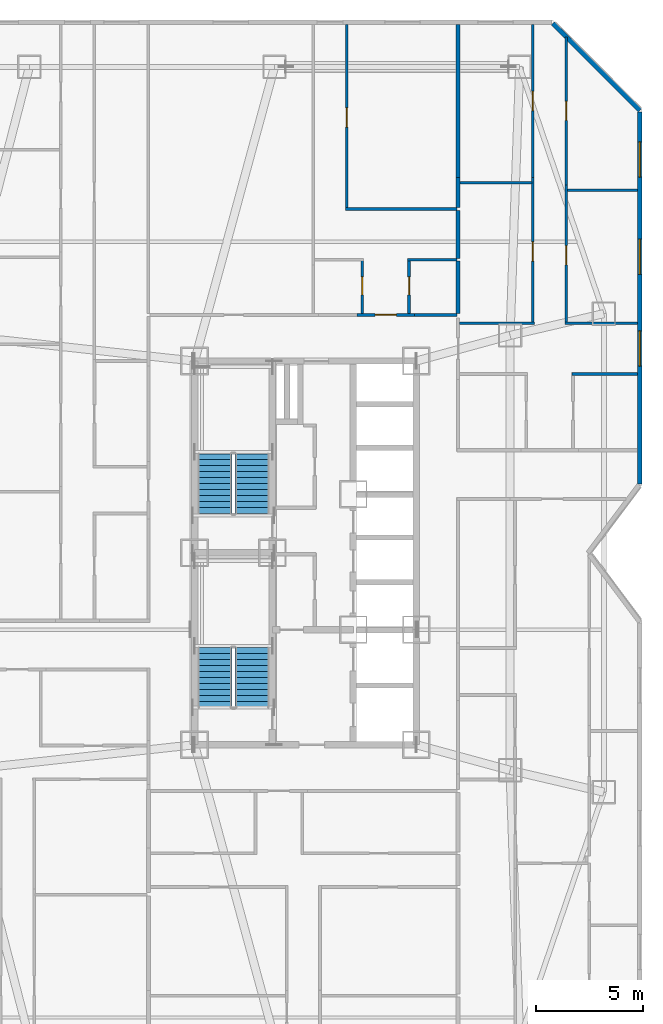
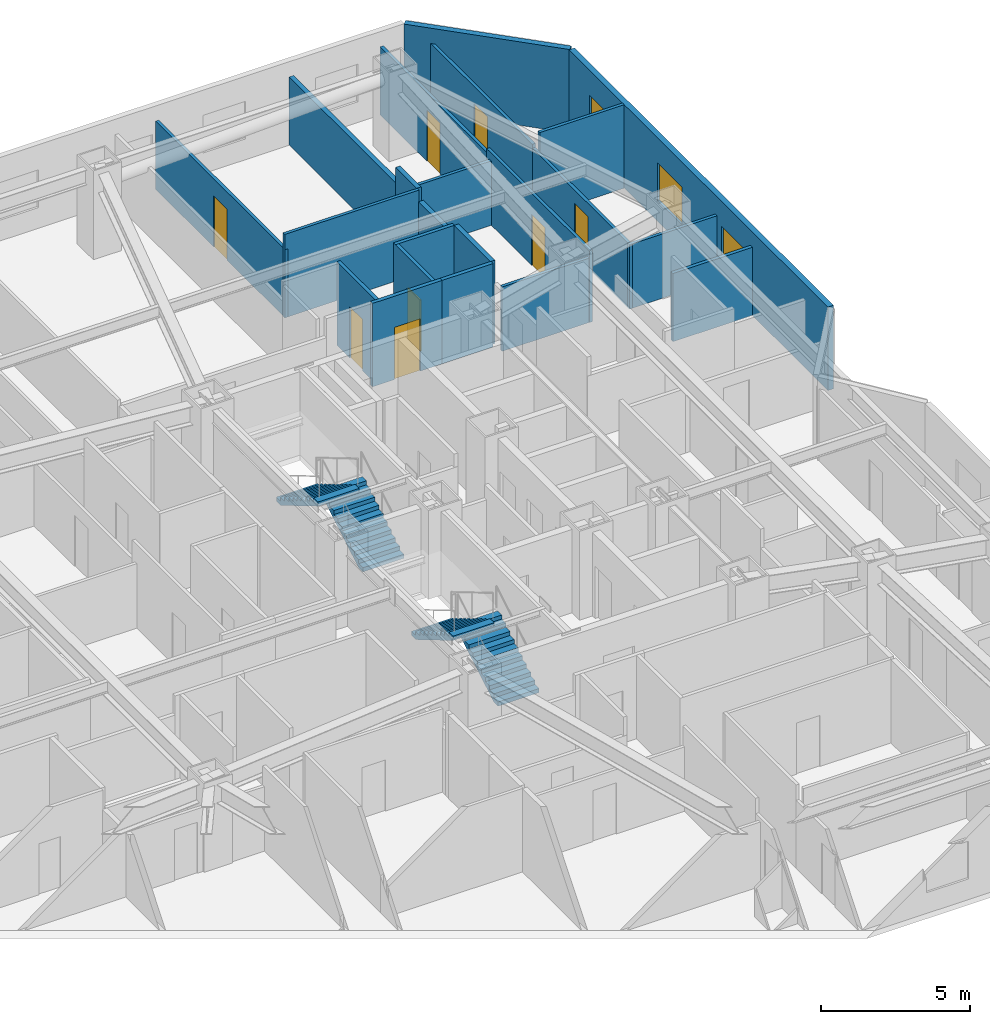
# One storey, part 17 of 19: 22 walls, 8 doors, 4 stair flights, 3 windows, 11 openings, 2 elements without a shape of their own.
"""IFC4 building model written with IfcOpenShell, lengths in metres."""

from ifc_helpers import new_model, si_unit, direction, frame, frame_2d, origin, place, context, subcontext, project, spatial, polyline, rectangle, outline, extrude, material, layer, layer_set, type_object, element, fill, aggregate, save


model = new_model("IFC4")

# Units and contexts
model_context = context("Model", 3, precision=1e-05, world=origin(), true_north=direction((0.0, 1.0)))
body_context = subcontext(model_context, "Body", "Model", "MODEL_VIEW")
ifc_project = project(units=[si_unit("LENGTHUNIT", "METRE"), si_unit("AREAUNIT", "SQUARE_METRE"), si_unit("VOLUMEUNIT", "CUBIC_METRE"), si_unit("PLANEANGLEUNIT", "RADIAN"), si_unit("MASSUNIT", "GRAM", prefix="KILO")], contexts=[model_context])

# Site, building, storey
site_placement = place(None, origin())
site = spatial("IfcSite", under=ifc_project, at=site_placement, CompositionType="ELEMENT")
building_placement = place(site_placement, origin())
building = spatial("IfcBuilding", under=site, at=building_placement, Name="Khamvora Tower", CompositionType="ELEMENT")
storey_placement = place(building_placement, frame((0.0, 0.0, 58.85009765625)))
storey = spatial("IfcBuildingStorey", under=building, at=storey_placement, Name="L14", CompositionType="ELEMENT", Elevation=58.85009765625)

# Wall, opening, door
ifc_material_1 = material(Name="Fire-Rated Drywall and Steel Stud", Category="steel")
ifc_layer_1 = layer(ifc_material_1, 0.14990234375)
ifc_layer_set_1 = layer_set([ifc_layer_1], Name="Fire-Rated Drywall and Steel Stud")
wall_type_1 = type_object("IfcWallType", Name="WAL-CORR-150", PredefinedType="STANDARD", material=ifc_layer_set_1)
wall_1_placement = place(storey_placement, frame((36.615966796875, 39.1650390625, 0.0), z_axis=(0.0, 0.0, 1.0), x_axis=(1.0, 0.0, 0.0)))
wall_1 = element("IfcWall", 1, at=wall_1_placement, inside=storey, type_object=wall_type_1, Name="L14 interior partition wall 029", PredefinedType="STANDARD", context=body_context, shape_type="SweptSolid", body=[
    extrude(rectangle(XDim=2.697998046875, YDim=0.14990234375, at=frame_2d((1.34912109375, 0.0))), origin(), (0.0, 0.0, 1.0), 3.429931640625),
])
opening_1_placement = place(wall_1_placement, frame((0.84912109375, 0.0, 0.0)))
opening_1 = element("IfcOpeningElement", 2, at=opening_1_placement, cuts=wall_1, Name="Opening D-U1", PredefinedType="OPENING", context=body_context, shape_type="SweptSolid", body=[
    extrude(rectangle(XDim=1.0, YDim=2.14990234375, at=frame_2d((0.5, 1.074951171875))), frame((0.0, 0.0849609375, 0.0), z_axis=(0.0, -1.0, 0.0), x_axis=(1.0, 0.0, 0.0)), (0.0, 0.0, 1.0), 0.169921875),
])
ifc_material_2 = material(Name="Powder-Coated Steel and Hardwood Leaf", Category="steel")
door_type_1 = type_object("IfcDoorType", Name="DOR-UNIT-1000", OperationType="NOTDEFINED", PredefinedType="DOOR", material=ifc_material_2)
door_1_placement = place(opening_1_placement, origin())
door_1 = element("IfcDoor", 3, at=door_1_placement, inside=storey, type_object=door_type_1, Name="L14 interior door COR-14NAH", OperationType="SINGLE_SWING_RIGHT", OverallHeight=2.14990234375, OverallWidth=1.0, PredefinedType="DOOR", context=body_context, shape_type="SweptSolid", body=[
    extrude(rectangle(XDim=1.0, YDim=2.14990234375, at=frame_2d((0.5, 1.074951171875))), frame((0.0, 0.02490234375, 0.0), z_axis=(0.0, -1.0, 0.0), x_axis=(1.0, 0.0, 0.0)), (0.0, 0.0, 1.0), 0.050048828125),
])
fill(opening_1, door_1)

# Walls
wall_2_placement = place(storey_placement, frame((39.31396484375, 39.1650390625, 0.0), z_axis=(0.0, 0.0, 1.0), x_axis=(1.0, 0.0, 0.0)))
element("IfcWall", 4, at=wall_2_placement, inside=storey, type_object=wall_type_1, Name="L14 interior partition wall 030", PredefinedType="STANDARD", context=body_context, shape_type="SweptSolid", body=[
    extrude(rectangle(XDim=1.986083984375, YDim=0.14990234375, at=frame_2d((0.9931640625, 0.0))), origin(), (0.0, 0.0, 1.0), 3.429931640625),
])
ifc_material_3 = material(Name="Acoustic Double-Stud Fire Wall", Category="gypsum")
ifc_layer_2 = layer(ifc_material_3, 0.179931640625)
ifc_layer_set_2 = layer_set([ifc_layer_2], Name="Acoustic Double-Stud Fire Wall")
wall_type_2 = type_object("IfcWallType", Name="WAL-CORR-180", PredefinedType="STANDARD", material=ifc_layer_set_2)
wall_3_placement = place(storey_placement, frame((41.364990234375, 44.069091796875, 0.0), z_axis=(0.0, 0.0, 1.0), x_axis=(0.0, -1.0, 0.0)))
element("IfcWall", 5, at=wall_3_placement, inside=storey, type_object=wall_type_2, Name="L14 interior partition wall 146", PredefinedType="STANDARD", context=body_context, shape_type="SweptSolid", body=[
    extrude(rectangle(XDim=2.25, YDim=0.179931640625, at=frame_2d((1.125, 0.0))), origin(), (0.0, 0.0, 1.0), 2.9609375),
])
wall_4_placement = place(storey_placement, frame((41.364990234375, 41.68896484375, 0.0), z_axis=(0.0, 0.0, 1.0), x_axis=(0.0, -1.0, 0.0)))
element("IfcWall", 6, at=wall_4_placement, inside=storey, type_object=wall_type_2, Name="L14 interior partition wall 147", PredefinedType="STANDARD", context=body_context, shape_type="SweptSolid", body=[
    extrude(rectangle(XDim=2.458984375, YDim=0.179931640625, at=frame_2d((1.2294921875, 0.0))), origin(), (0.0, 0.0, 1.0), 3.429931640625),
])
wall_5_placement = place(storey_placement, frame((41.364990234375, 45.615966796875, 0.0), z_axis=(0.0, 0.0, 1.0), x_axis=(0.0, -1.0, 0.0)))
element("IfcWall", 7, at=wall_5_placement, inside=storey, type_object=wall_type_2, Name="L14 interior partition wall 148", PredefinedType="STANDARD", context=body_context, shape_type="SweptSolid", body=[
    extrude(rectangle(XDim=1.4169921875, YDim=0.179931640625, at=frame_2d((0.70849609375, 0.0))), origin(), (0.0, 0.0, 1.0), 3.429931640625),
])
wall_6_placement = place(storey_placement, frame((41.364990234375, 52.7880859375, 0.0), z_axis=(0.0, 0.0, 1.0), x_axis=(0.0, -1.0, 0.0)))
element("IfcWall", 8, at=wall_6_placement, inside=storey, type_object=wall_type_2, Name="L14 interior partition wall 149", PredefinedType="STANDARD", context=body_context, shape_type="SweptSolid", body=[
    extrude(rectangle(XDim=7.172119140625, YDim=0.179931640625, at=frame_2d((3.5859375, 0.0))), origin(), (0.0, 0.0, 1.0), 2.802978515625),
])
ifc_material_4 = material(Name="Precast concrete C40/50", Category="concrete")
ifc_layer_3 = layer(ifc_material_4, 0.219970703125)
ifc_layer_set_3 = layer_set([ifc_layer_3], Name="Precast concrete C40/50")
wall_type_3 = type_object("IfcWallType", Name="WAL-EXT-220", PredefinedType="STANDARD", material=ifc_layer_set_3)
wall_7_placement = place(storey_placement, frame((45.802001953125, 52.842041015625, 0.0), z_axis=(0.0, 0.0, 1.0), x_axis=(0.707085666273, -0.70712789547, 0.0)))
element("IfcWall", 9, at=wall_7_placement, inside=storey, type_object=wall_type_3, Name="L14 exterior facade wall 08.1", PredefinedType="STANDARD", context=body_context, shape_type="SweptSolid", body=[
    extrude(rectangle(XDim=5.78125, YDim=0.219970703125, at=frame_2d((2.890625, 0.0))), origin(), (0.0, 0.0, 1.0), 3.429931640625),
])

# Wall, openings, windows
wall_8_placement = place(storey_placement, frame((49.889892578125, 48.68310546875, 0.0), z_axis=(0.0, 0.0, 1.0), x_axis=(0.0, -1.0, 0.0)))
wall_8 = element("IfcWall", 10, at=wall_8_placement, inside=storey, type_object=wall_type_3, Name="L14 exterior facade wall 09.1", PredefinedType="STANDARD", context=body_context, shape_type="SweptSolid", body=[
    extrude(rectangle(XDim=17.446044921875, YDim=0.219970703125, at=frame_2d((8.72314453125, 0.0))), origin(), (0.0, 0.0, 1.0), 3.429931640625),
])
opening_2_placement = place(wall_8_placement, frame((10.27294921875, 0.0, 0.85009765625)))
opening_2 = element("IfcOpeningElement", 11, at=opening_2_placement, cuts=wall_8, Name="Opening WN-06", PredefinedType="OPENING", context=body_context, shape_type="SweptSolid", body=[
    extrude(rectangle(XDim=1.64990234375, YDim=1.550048828125, at=frame_2d((0.824951171875, 0.77490234375))), frame((0.0, 0.119873046875, 0.0), z_axis=(0.0, -1.0, 0.0), x_axis=(1.0, 0.0, 0.0)), (0.0, 0.0, 1.0), 0.239990234375),
])
opening_3_placement = place(wall_8_placement, frame((5.962890625, 0.0, 0.85009765625)))
opening_3 = element("IfcOpeningElement", 12, at=opening_3_placement, cuts=wall_8, Name="Opening WN-06", PredefinedType="OPENING", context=body_context, shape_type="SweptSolid", body=[
    extrude(rectangle(XDim=1.64990234375, YDim=1.550048828125, at=frame_2d((0.824951171875, 0.77490234375))), frame((0.0, 0.119873046875, 0.0), z_axis=(0.0, -1.0, 0.0), x_axis=(1.0, 0.0, 0.0)), (0.0, 0.0, 1.0), 0.239990234375),
])
opening_4_placement = place(wall_8_placement, frame((1.40087890625, 0.0, 0.85009765625)))
opening_4 = element("IfcOpeningElement", 13, at=opening_4_placement, cuts=wall_8, Name="Opening WN-06", PredefinedType="OPENING", context=body_context, shape_type="SweptSolid", body=[
    extrude(rectangle(XDim=1.64990234375, YDim=1.550048828125, at=frame_2d((0.824951171875, 0.77490234375))), frame((0.0, 0.119873046875, 0.0), z_axis=(0.0, -1.0, 0.0), x_axis=(1.0, 0.0, 0.0)), (0.0, 0.0, 1.0), 0.239990234375),
])
ifc_material_5 = material(Name="Low-E Laminated Double Glazing", Category="glass")
window_type = type_object("IfcWindowType", Name="WIN-VIS-1650x1550", PartitioningType="SINGLE_PANEL", PredefinedType="WINDOW", material=ifc_material_5)
window_1_placement = place(opening_2_placement, origin())
window_1 = element("IfcWindow", 14, at=window_1_placement, inside=storey, type_object=window_type, Name="L14 vision window 09.1.01", OverallHeight=1.550048828125, OverallWidth=1.64990234375, PartitioningType="SINGLE_PANEL", PredefinedType="WINDOW", context=body_context, shape_type="SweptSolid", body=[
    extrude(rectangle(XDim=1.64990234375, YDim=1.550048828125, at=frame_2d((0.824951171875, 0.77490234375))), frame((0.0, 0.030029296875, 0.0), z_axis=(0.0, -1.0, 0.0), x_axis=(1.0, 0.0, 0.0)), (0.0, 0.0, 1.0), 0.06005859375),
])
fill(opening_2, window_1)
window_2_placement = place(opening_3_placement, origin())
window_2 = element("IfcWindow", 15, at=window_2_placement, inside=storey, type_object=window_type, Name="L14 vision window 09.1.02", OverallHeight=1.550048828125, OverallWidth=1.64990234375, PartitioningType="SINGLE_PANEL", PredefinedType="WINDOW", context=body_context, shape_type="SweptSolid", body=[
    extrude(rectangle(XDim=1.64990234375, YDim=1.550048828125, at=frame_2d((0.824951171875, 0.77490234375))), frame((0.0, 0.030029296875, 0.0), z_axis=(0.0, -1.0, 0.0), x_axis=(1.0, 0.0, 0.0)), (0.0, 0.0, 1.0), 0.06005859375),
])
fill(opening_3, window_2)
window_3_placement = place(opening_4_placement, origin())
window_3 = element("IfcWindow", 16, at=window_3_placement, inside=storey, type_object=window_type, Name="L14 vision window 09.1.03", OverallHeight=1.550048828125, OverallWidth=1.64990234375, PartitioningType="SINGLE_PANEL", PredefinedType="WINDOW", context=body_context, shape_type="SweptSolid", body=[
    extrude(rectangle(XDim=1.64990234375, YDim=1.550048828125, at=frame_2d((0.824951171875, 0.77490234375))), frame((0.0, 0.030029296875, 0.0), z_axis=(0.0, -1.0, 0.0), x_axis=(1.0, 0.0, 0.0)), (0.0, 0.0, 1.0), 0.06005859375),
])
fill(opening_4, window_3)

# Wall, opening, door
ifc_material_6 = material(Name="Gypsum Plasterboard Partition", Category="gypsum")
ifc_layer_4 = layer(ifc_material_6, 0.1201171875)
ifc_layer_set_4 = layer_set([ifc_layer_4], Name="Gypsum Plasterboard Partition")
wall_type_4 = type_object("IfcWallType", Name="WAL-PART-120", PredefinedType="PARTITIONING", material=ifc_layer_set_4)
wall_9_placement = place(storey_placement, frame((36.14501953125, 52.7880859375, 0.0), z_axis=(0.0, 0.0, 1.0), x_axis=(0.0, -1.0, 0.0)))
wall_9 = element("IfcWall", 17, at=wall_9_placement, inside=storey, type_object=wall_type_4, Name="L14 interior partition wall 144", PredefinedType="PARTITIONING", context=body_context, shape_type="SweptSolid", body=[
    extrude(rectangle(XDim=8.718994140625, YDim=0.1201171875, at=frame_2d((4.359375, 0.0))), origin(), (0.0, 0.0, 1.0), 2.802978515625),
])
opening_5_placement = place(wall_9_placement, frame((3.908935546875, 0.0, 0.0)))
opening_5 = element("IfcOpeningElement", 18, at=opening_5_placement, cuts=wall_9, Name="Opening D-RM1", PredefinedType="OPENING", context=body_context, shape_type="SweptSolid", body=[
    extrude(rectangle(XDim=0.89990234375, YDim=2.10009765625, at=frame_2d((0.449951171875, 1.050048828125))), frame((0.0, 0.070068359375, 0.0), z_axis=(0.0, -1.0, 0.0), x_axis=(1.0, 0.0, 0.0)), (0.0, 0.0, 1.0), 0.14013671875),
])
door_type_2 = type_object("IfcDoorType", Name="DOR-ROOM-900", OperationType="NOTDEFINED", PredefinedType="DOOR", material=ifc_material_2)
door_2_placement = place(opening_5_placement, origin())
door_2 = element("IfcDoor", 19, at=door_2_placement, inside=storey, type_object=door_type_2, Name="L14 interior door 14NAH-14NAR1", OperationType="SINGLE_SWING_LEFT", OverallHeight=2.10009765625, OverallWidth=0.89990234375, PredefinedType="DOOR", context=body_context, shape_type="SweptSolid", body=[
    extrude(rectangle(XDim=0.89990234375, YDim=2.10009765625, at=frame_2d((0.449951171875, 1.050048828125))), frame((0.0, 0.02490234375, 0.0), z_axis=(0.0, -1.0, 0.0), x_axis=(1.0, 0.0, 0.0)), (0.0, 0.0, 1.0), 0.050048828125),
])
fill(opening_5, door_2)

# Walls
wall_10_placement = place(storey_placement, frame((36.080078125, 44.134033203125, 0.0), z_axis=(0.0, 0.0, 1.0), x_axis=(1.0, 0.0, 0.0)))
element("IfcWall", 20, at=wall_10_placement, inside=storey, type_object=wall_type_4, Name="L14 interior partition wall 145", PredefinedType="PARTITIONING", context=body_context, shape_type="SweptSolid", body=[
    extrude(rectangle(XDim=5.219970703125, YDim=0.1201171875, at=frame_2d((2.60986328125, 0.0))), origin(), (0.0, 0.0, 1.0), 3.429931640625),
])
wall_11_placement = place(storey_placement, frame((41.431884765625, 38.77490234375, 0.0), z_axis=(0.0, 0.0, 1.0), x_axis=(1.0, 0.0, 0.0)))
element("IfcWall", 21, at=wall_11_placement, inside=storey, type_object=wall_type_4, Name="L14 interior partition wall 169", PredefinedType="PARTITIONING", context=body_context, shape_type="SweptSolid", body=[
    extrude(rectangle(XDim=3.508056640625, YDim=0.1201171875, at=frame_2d((1.75390625, 0.0))), origin(), (0.0, 0.0, 1.0), 2.64697265625),
])

# Wall, opening, door
wall_12_placement = place(storey_placement, frame((44.875, 38.7099609375, 0.0), z_axis=(0.0, 0.0, 1.0), x_axis=(0.0, 1.0, 0.0)))
wall_12 = element("IfcWall", 22, at=wall_12_placement, inside=storey, type_object=wall_type_4, Name="L14 interior partition wall 170", PredefinedType="PARTITIONING", context=body_context, shape_type="SweptSolid", body=[
    extrude(rectangle(XDim=6.906005859375, YDim=0.1201171875, at=frame_2d((3.453125, 0.0))), origin(), (0.0, 0.0, 1.0), 2.9609375),
])
opening_6_placement = place(wall_12_placement, frame((2.98193359375, 0.0, 0.0)))
opening_6 = element("IfcOpeningElement", 23, at=opening_6_placement, cuts=wall_12, Name="Opening D-RM1", PredefinedType="OPENING", context=body_context, shape_type="SweptSolid", body=[
    extrude(rectangle(XDim=0.89990234375, YDim=2.10009765625, at=frame_2d((0.449951171875, 1.050048828125))), frame((0.0, 0.070068359375, 0.0), z_axis=(0.0, -1.0, 0.0), x_axis=(1.0, 0.0, 0.0)), (0.0, 0.0, 1.0), 0.14013671875),
])
door_3_placement = place(opening_6_placement, origin())
door_3 = element("IfcDoor", 24, at=door_3_placement, inside=storey, type_object=door_type_2, Name="L14 interior door 14ECH-14ECL", OperationType="SINGLE_SWING_RIGHT", OverallHeight=2.10009765625, OverallWidth=0.89990234375, PredefinedType="DOOR", context=body_context, shape_type="SweptSolid", body=[
    extrude(rectangle(XDim=0.89990234375, YDim=2.10009765625, at=frame_2d((0.449951171875, 1.050048828125))), frame((0.0, 0.02490234375, 0.0), z_axis=(0.0, -1.0, 0.0), x_axis=(1.0, 0.0, 0.0)), (0.0, 0.0, 1.0), 0.050048828125),
])
fill(opening_6, door_3)

wall_13_placement = place(storey_placement, frame((44.875, 45.615966796875, 0.0), z_axis=(0.0, 0.0, 1.0), x_axis=(0.0, 1.0, 0.0)))
wall_13 = element("IfcWall", 25, at=wall_13_placement, inside=storey, type_object=wall_type_4, Name="L14 interior partition wall 171", PredefinedType="PARTITIONING", context=body_context, shape_type="SweptSolid", body=[
    extrude(rectangle(XDim=7.172119140625, YDim=0.1201171875, at=frame_2d((3.5859375, 0.0))), origin(), (0.0, 0.0, 1.0), 2.802978515625),
])
opening_7_placement = place(wall_13_placement, frame((3.135986328125, 0.0, 0.0)))
opening_7 = element("IfcOpeningElement", 26, at=opening_7_placement, cuts=wall_13, Name="Opening D-RM1", PredefinedType="OPENING", context=body_context, shape_type="SweptSolid", body=[
    extrude(rectangle(XDim=0.89990234375, YDim=2.10009765625, at=frame_2d((0.449951171875, 1.050048828125))), frame((0.0, 0.070068359375, 0.0), z_axis=(0.0, -1.0, 0.0), x_axis=(1.0, 0.0, 0.0)), (0.0, 0.0, 1.0), 0.14013671875),
])
door_4_placement = place(opening_7_placement, origin())
door_4 = element("IfcDoor", 27, at=door_4_placement, inside=storey, type_object=door_type_2, Name="L14 interior door 14ECH-14ECR2", OperationType="SINGLE_SWING_LEFT", OverallHeight=2.10009765625, OverallWidth=0.89990234375, PredefinedType="DOOR", context=body_context, shape_type="SweptSolid", body=[
    extrude(rectangle(XDim=0.89990234375, YDim=2.10009765625, at=frame_2d((0.449951171875, 1.050048828125))), frame((0.0, 0.02490234375, 0.0), z_axis=(0.0, -1.0, 0.0), x_axis=(1.0, 0.0, 0.0)), (0.0, 0.0, 1.0), 0.050048828125),
])
fill(opening_7, door_4)

# Wall
wall_14_placement = place(storey_placement, frame((46.3798828125, 38.77490234375, 0.0), z_axis=(0.0, 0.0, 1.0), x_axis=(1.0, 0.0, 0.0)))
element("IfcWall", 28, at=wall_14_placement, inside=storey, type_object=wall_type_4, Name="L14 interior partition wall 172", PredefinedType="PARTITIONING", context=body_context, shape_type="SweptSolid", body=[
    extrude(rectangle(XDim=3.408203125, YDim=0.1201171875, at=frame_2d((1.7041015625, 0.0))), origin(), (0.0, 0.0, 1.0), 2.64697265625),
])

# Wall, opening, door
wall_15_placement = place(storey_placement, frame((46.445068359375, 45.264892578125, 0.0), z_axis=(0.0, 0.0, 1.0), x_axis=(0.0, -1.0, 0.0)))
wall_15 = element("IfcWall", 29, at=wall_15_placement, inside=storey, type_object=wall_type_4, Name="L14 interior partition wall 173", PredefinedType="PARTITIONING", context=body_context, shape_type="SweptSolid", body=[
    extrude(rectangle(XDim=6.554931640625, YDim=0.1201171875, at=frame_2d((3.27734375, 0.0))), origin(), (0.0, 0.0, 1.0), 2.64697265625),
])
opening_8_placement = place(wall_15_placement, frame((2.847900390625, 0.0, 0.0)))
opening_8 = element("IfcOpeningElement", 30, at=opening_8_placement, cuts=wall_15, Name="Opening D-RM1", PredefinedType="OPENING", context=body_context, shape_type="SweptSolid", body=[
    extrude(rectangle(XDim=0.89990234375, YDim=2.10009765625, at=frame_2d((0.449951171875, 1.050048828125))), frame((0.0, 0.070068359375, 0.0), z_axis=(0.0, -1.0, 0.0), x_axis=(1.0, 0.0, 0.0)), (0.0, 0.0, 1.0), 0.14013671875),
])
door_5_placement = place(opening_8_placement, origin())
door_5 = element("IfcDoor", 31, at=door_5_placement, inside=storey, type_object=door_type_2, Name="L14 interior door 14ECH-14ECR3", OperationType="SINGLE_SWING_RIGHT", OverallHeight=2.10009765625, OverallWidth=0.89990234375, PredefinedType="DOOR", context=body_context, shape_type="SweptSolid", body=[
    extrude(rectangle(XDim=0.89990234375, YDim=2.10009765625, at=frame_2d((0.449951171875, 1.050048828125))), frame((0.0, 0.02490234375, 0.0), z_axis=(0.0, -1.0, 0.0), x_axis=(1.0, 0.0, 0.0)), (0.0, 0.0, 1.0), 0.050048828125),
])
fill(opening_8, door_5)

wall_16_placement = place(storey_placement, frame((46.445068359375, 52.2080078125, 0.0), z_axis=(0.0, 0.0, 1.0), x_axis=(0.0, -1.0, 0.0)))
wall_16 = element("IfcWall", 32, at=wall_16_placement, inside=storey, type_object=wall_type_4, Name="L14 interior partition wall 174", PredefinedType="PARTITIONING", context=body_context, shape_type="SweptSolid", body=[
    extrude(rectangle(XDim=6.943115234375, YDim=0.1201171875, at=frame_2d((3.4716796875, 0.0))), origin(), (0.0, 0.0, 1.0), 2.802978515625),
])
opening_9_placement = place(wall_16_placement, frame((3.02099609375, 0.0, 0.0)))
opening_9 = element("IfcOpeningElement", 33, at=opening_9_placement, cuts=wall_16, Name="Opening D-RM1", PredefinedType="OPENING", context=body_context, shape_type="SweptSolid", body=[
    extrude(rectangle(XDim=0.89990234375, YDim=2.10009765625, at=frame_2d((0.449951171875, 1.050048828125))), frame((0.0, 0.070068359375, 0.0), z_axis=(0.0, -1.0, 0.0), x_axis=(1.0, 0.0, 0.0)), (0.0, 0.0, 1.0), 0.14013671875),
])
door_6_placement = place(opening_9_placement, origin())
door_6 = element("IfcDoor", 34, at=door_6_placement, inside=storey, type_object=door_type_2, Name="L14 interior door 14ECH-14ECR4", OperationType="SINGLE_SWING_LEFT", OverallHeight=2.10009765625, OverallWidth=0.89990234375, PredefinedType="DOOR", context=body_context, shape_type="SweptSolid", body=[
    extrude(rectangle(XDim=0.89990234375, YDim=2.10009765625, at=frame_2d((0.449951171875, 1.050048828125))), frame((0.0, 0.02490234375, 0.0), z_axis=(0.0, -1.0, 0.0), x_axis=(1.0, 0.0, 0.0)), (0.0, 0.0, 1.0), 0.050048828125),
])
fill(opening_9, door_6)

# Walls
wall_17_placement = place(storey_placement, frame((41.447021484375, 45.365966796875, 0.0), z_axis=(0.0, 0.0, 1.0), x_axis=(1.0, 0.0, 0.0)))
element("IfcWall", 35, at=wall_17_placement, inside=storey, type_object=wall_type_4, Name="L14 interior partition wall 175", PredefinedType="PARTITIONING", context=body_context, shape_type="SweptSolid", body=[
    extrude(rectangle(XDim=3.3740234375, YDim=0.1201171875, at=frame_2d((1.68701171875, 0.0))), origin(), (0.0, 0.0, 1.0), 2.64697265625),
])
wall_18_placement = place(storey_placement, frame((46.4990234375, 45.014892578125, 0.0), z_axis=(0.0, 0.0, 1.0), x_axis=(1.0, 0.0, 0.0)))
element("IfcWall", 36, at=wall_18_placement, inside=storey, type_object=wall_type_4, Name="L14 interior partition wall 176", PredefinedType="PARTITIONING", context=body_context, shape_type="SweptSolid", body=[
    extrude(rectangle(XDim=3.2890625, YDim=0.1201171875, at=frame_2d((1.64453125, 0.0))), origin(), (0.0, 0.0, 1.0), 3.429931640625),
])
ifc_material_7 = material(Name="Moisture-Resistant Plasterboard Partition", Category="gypsum")
ifc_layer_5 = layer(ifc_material_7, 0.135009765625)
ifc_layer_set_5 = layer_set([ifc_layer_5], Name="Moisture-Resistant Plasterboard Partition")
wall_type_5 = type_object("IfcWallType", Name="WAL-WET-135", PredefinedType="PARTITIONING", material=ifc_layer_set_5)
wall_19_placement = place(storey_placement, frame((41.300048828125, 41.75390625, 0.0), z_axis=(0.0, 0.0, 1.0), x_axis=(-1.0, 0.0, 0.0)))
element("IfcWall", 37, at=wall_19_placement, inside=storey, type_object=wall_type_5, Name="L14 interior partition wall 140", PredefinedType="PARTITIONING", context=body_context, shape_type="SweptSolid", body=[
    extrude(rectangle(XDim=2.300048828125, YDim=0.135009765625, at=frame_2d((1.14990234375, 0.0))), origin(), (0.0, 0.0, 1.0), 3.429931640625),
])

# Wall, opening, door
wall_20_placement = place(storey_placement, frame((39.06494140625, 41.819091796875, 0.0), z_axis=(0.0, 0.0, 1.0), x_axis=(0.0, -1.0, 0.0)))
wall_20 = element("IfcWall", 38, at=wall_20_placement, inside=storey, type_object=wall_type_5, Name="L14 interior partition wall 141", PredefinedType="PARTITIONING", context=body_context, shape_type="SweptSolid", body=[
    extrude(rectangle(XDim=2.587158203125, YDim=0.135009765625, at=frame_2d((1.29345703125, 0.0))), origin(), (0.0, 0.0, 1.0), 3.429931640625),
])
opening_10_placement = place(wall_20_placement, frame((0.868896484375, 0.0, 0.0)))
opening_10 = element("IfcOpeningElement", 39, at=opening_10_placement, cuts=wall_20, Name="Opening D-WC1", PredefinedType="OPENING", context=body_context, shape_type="SweptSolid", body=[
    extrude(rectangle(XDim=0.85009765625, YDim=2.10009765625, at=frame_2d((0.425048828125, 1.050048828125))), frame((0.0, 0.077392578125, 0.0), z_axis=(0.0, -1.0, 0.0), x_axis=(1.0, 0.0, 0.0)), (0.0, 0.0, 1.0), 0.155029296875),
])
door_type_3 = type_object("IfcDoorType", Name="DOR-WET-850", OperationType="NOTDEFINED", PredefinedType="DOOR", material=ifc_material_2)
door_7_placement = place(opening_10_placement, origin())
door_7 = element("IfcDoor", 40, at=door_7_placement, inside=storey, type_object=door_type_3, Name="L14 interior door 14NAH-14NAB", OperationType="SINGLE_SWING_LEFT", OverallHeight=2.10009765625, OverallWidth=0.85009765625, PredefinedType="DOOR", context=body_context, shape_type="SweptSolid", body=[
    extrude(rectangle(XDim=0.85009765625, YDim=2.10009765625, at=frame_2d((0.425048828125, 1.050048828125))), frame((0.0, 0.02490234375, 0.0), z_axis=(0.0, -1.0, 0.0), x_axis=(1.0, 0.0, 0.0)), (0.0, 0.0, 1.0), 0.050048828125),
])
fill(opening_10, door_7)

wall_21_placement = place(storey_placement, frame((36.864990234375, 39.23193359375, 0.0), z_axis=(0.0, 0.0, 1.0), x_axis=(0.0, 1.0, 0.0)))
wall_21 = element("IfcWall", 41, at=wall_21_placement, inside=storey, type_object=wall_type_5, Name="L14 interior partition wall 142", PredefinedType="PARTITIONING", context=body_context, shape_type="SweptSolid", body=[
    extrude(rectangle(XDim=2.587158203125, YDim=0.135009765625, at=frame_2d((1.29345703125, 0.0))), origin(), (0.0, 0.0, 1.0), 3.429931640625),
])
opening_11_placement = place(wall_21_placement, frame((0.868896484375, 0.0, 0.0)))
opening_11 = element("IfcOpeningElement", 42, at=opening_11_placement, cuts=wall_21, Name="Opening D-RM2", PredefinedType="OPENING", context=body_context, shape_type="SweptSolid", body=[
    extrude(rectangle(XDim=0.85009765625, YDim=2.10009765625, at=frame_2d((0.425048828125, 1.050048828125))), frame((0.0, 0.077392578125, 0.0), z_axis=(0.0, -1.0, 0.0), x_axis=(1.0, 0.0, 0.0)), (0.0, 0.0, 1.0), 0.155029296875),
])
door_type_4 = type_object("IfcDoorType", Name="DOR-ROOM-850", OperationType="NOTDEFINED", PredefinedType="DOOR", material=ifc_material_2)
door_8_placement = place(opening_11_placement, origin())
door_8 = element("IfcDoor", 43, at=door_8_placement, inside=storey, type_object=door_type_4, Name="L14 interior door 14NAH-14NAK", OperationType="SINGLE_SWING_RIGHT", OverallHeight=2.10009765625, OverallWidth=0.85009765625, PredefinedType="DOOR", context=body_context, shape_type="SweptSolid", body=[
    extrude(rectangle(XDim=0.85009765625, YDim=2.10009765625, at=frame_2d((0.425048828125, 1.050048828125))), frame((0.0, 0.02490234375, 0.0), z_axis=(0.0, -1.0, 0.0), x_axis=(1.0, 0.0, 0.0)), (0.0, 0.0, 1.0), 0.050048828125),
])
fill(opening_11, door_8)

# Wall
wall_22_placement = place(storey_placement, frame((49.7880859375, 36.39501953125, 0.0), z_axis=(0.0, 0.0, 1.0), x_axis=(-1.0, 0.0, 0.0)))
element("IfcWall", 44, at=wall_22_placement, inside=storey, type_object=wall_type_5, Name="L14 interior partition wall 167", PredefinedType="PARTITIONING", context=body_context, shape_type="SweptSolid", body=[
    extrude(rectangle(XDim=3.093017578125, YDim=0.135009765625, at=frame_2d((1.54638671875, 0.0))), origin(), (0.0, 0.0, 1.0), 2.802978515625),
])

# Stair, stair flights
ifc_material_8 = material(Name="Concrete C40/50", Category="concrete")
stair_type_1 = type_object("IfcStairType", Name="STR-ST-01", PredefinedType="HALF_TURN_STAIR", material=ifc_material_8)
stair_1_placement = place(storey_placement, origin())
stair_1 = element("IfcStair", 45, at=stair_1_placement, inside=storey, type_object=stair_type_1, Name="L14 South Tower Exit Stair ST-01", PredefinedType="HALF_TURN_STAIR")
stair_flight_type_1 = type_object("IfcStairFlightType", Name="STF-ST-01", PredefinedType="STRAIGHT", material=ifc_material_8)
stair_flight_1_placement = place(storey_placement, frame((31.699951171875, 20.75, 0.0), z_axis=(0.0, 0.0, 1.0), x_axis=(0.0, 1.0, 0.0)))
stair_flight_1 = element("IfcStairFlight", 46, at=stair_flight_1_placement, type_object=stair_flight_type_1, Name="ST-01 flight 1", NumberOfRisers=11, NumberOfTreads=10, PredefinedType="STRAIGHT", RiserHeight=0.165909091, TreadLength=0.28, context=body_context, shape_type="SweptSolid", body=[
    extrude(outline(polyline([(0.0, 0.0), (0.0, 0.166015625), (0.280029296875, 0.166015625), (0.280029296875, 0.331787109375), (0.56005859375, 0.331787109375), (0.56005859375, 0.497802734375), (0.840087890625, 0.497802734375), (0.840087890625, 0.66357421875), (1.1201171875, 0.66357421875), (1.1201171875, 0.82958984375), (1.39990234375, 0.82958984375), (1.39990234375, 0.995361328125), (1.679931640625, 0.995361328125), (1.679931640625, 1.161376953125), (1.9599609375, 1.161376953125), (1.9599609375, 1.327392578125), (2.239990234375, 1.327392578125), (2.239990234375, 1.4931640625), (2.52001953125, 1.4931640625), (2.52001953125, 1.6591796875), (2.800048828125, 1.6591796875), (2.800048828125, 1.824951171875), (2.800048828125, 1.48486328125), (0.2939453125, 0.0), (0.0, 0.0)])), frame((0.0, 0.800048828125, 0.0), z_axis=(0.0, -1.0, 0.0), x_axis=(1.0, 0.0, 0.0)), (0.0, 0.0, 1.0), 1.60009765625),
])
stair_flight_2_placement = place(storey_placement, frame((29.949951171875, 23.550048828125, 1.824951171875), z_axis=(0.0, 0.0, 1.0), x_axis=(0.0, -1.0, 0.0)))
stair_flight_2 = element("IfcStairFlight", 47, at=stair_flight_2_placement, type_object=stair_flight_type_1, Name="ST-01 flight 2", NumberOfRisers=11, NumberOfTreads=10, PredefinedType="STRAIGHT", RiserHeight=0.165909091, TreadLength=0.28, context=body_context, shape_type="SweptSolid", body=[
    extrude(outline(polyline([(0.0, 0.0), (0.0, 0.166015625), (0.280029296875, 0.166015625), (0.280029296875, 0.331787109375), (0.56005859375, 0.331787109375), (0.56005859375, 0.497802734375), (0.840087890625, 0.497802734375), (0.840087890625, 0.66357421875), (1.1201171875, 0.66357421875), (1.1201171875, 0.82958984375), (1.39990234375, 0.82958984375), (1.39990234375, 0.995361328125), (1.679931640625, 0.995361328125), (1.679931640625, 1.161376953125), (1.9599609375, 1.161376953125), (1.9599609375, 1.327392578125), (2.239990234375, 1.327392578125), (2.239990234375, 1.4931640625), (2.52001953125, 1.4931640625), (2.52001953125, 1.6591796875), (2.800048828125, 1.6591796875), (2.800048828125, 1.824951171875), (2.800048828125, 1.48486328125), (0.2939453125, 0.0), (0.0, 0.0)])), frame((0.0, 0.800048828125, 0.0), z_axis=(0.0, -1.0, 0.0), x_axis=(1.0, 0.0, 0.0)), (0.0, 0.0, 1.0), 1.60009765625),
])
aggregate(stair_1, [stair_flight_1, stair_flight_2])

stair_type_2 = type_object("IfcStairType", Name="STR-ST-02", PredefinedType="HALF_TURN_STAIR", material=ifc_material_8)
stair_2_placement = place(storey_placement, origin())
stair_2 = element("IfcStair", 48, at=stair_2_placement, inside=storey, type_object=stair_type_2, Name="L14 North Tower Exit Stair ST-02", PredefinedType="HALF_TURN_STAIR")
stair_flight_type_2 = type_object("IfcStairFlightType", Name="STF-ST-02", PredefinedType="STRAIGHT", material=ifc_material_8)
stair_flight_3_placement = place(storey_placement, frame((31.699951171875, 29.85009765625, 0.0), z_axis=(0.0, 0.0, 1.0), x_axis=(0.0, 1.0, 0.0)))
stair_flight_3 = element("IfcStairFlight", 49, at=stair_flight_3_placement, type_object=stair_flight_type_2, Name="ST-02 flight 1", NumberOfRisers=11, NumberOfTreads=10, PredefinedType="STRAIGHT", RiserHeight=0.165909091, TreadLength=0.28, context=body_context, shape_type="SweptSolid", body=[
    extrude(outline(polyline([(0.0, 0.0), (0.0, 0.166015625), (0.280029296875, 0.166015625), (0.280029296875, 0.331787109375), (0.56005859375, 0.331787109375), (0.56005859375, 0.497802734375), (0.840087890625, 0.497802734375), (0.840087890625, 0.66357421875), (1.1201171875, 0.66357421875), (1.1201171875, 0.82958984375), (1.39990234375, 0.82958984375), (1.39990234375, 0.995361328125), (1.679931640625, 0.995361328125), (1.679931640625, 1.161376953125), (1.9599609375, 1.161376953125), (1.9599609375, 1.327392578125), (2.239990234375, 1.327392578125), (2.239990234375, 1.4931640625), (2.52001953125, 1.4931640625), (2.52001953125, 1.6591796875), (2.800048828125, 1.6591796875), (2.800048828125, 1.824951171875), (2.800048828125, 1.48486328125), (0.2939453125, 0.0), (0.0, 0.0)])), frame((0.0, 0.800048828125, 0.0), z_axis=(0.0, -1.0, 0.0), x_axis=(1.0, 0.0, 0.0)), (0.0, 0.0, 1.0), 1.60009765625),
])
stair_flight_4_placement = place(storey_placement, frame((29.949951171875, 32.64990234375, 1.824951171875), z_axis=(0.0, 0.0, 1.0), x_axis=(0.0, -1.0, 0.0)))
stair_flight_4 = element("IfcStairFlight", 50, at=stair_flight_4_placement, type_object=stair_flight_type_2, Name="ST-02 flight 2", NumberOfRisers=11, NumberOfTreads=10, PredefinedType="STRAIGHT", RiserHeight=0.165909091, TreadLength=0.28, context=body_context, shape_type="SweptSolid", body=[
    extrude(outline(polyline([(0.0, 0.0), (0.0, 0.166015625), (0.280029296875, 0.166015625), (0.280029296875, 0.331787109375), (0.56005859375, 0.331787109375), (0.56005859375, 0.497802734375), (0.840087890625, 0.497802734375), (0.840087890625, 0.66357421875), (1.1201171875, 0.66357421875), (1.1201171875, 0.82958984375), (1.39990234375, 0.82958984375), (1.39990234375, 0.995361328125), (1.679931640625, 0.995361328125), (1.679931640625, 1.161376953125), (1.9599609375, 1.161376953125), (1.9599609375, 1.327392578125), (2.239990234375, 1.327392578125), (2.239990234375, 1.4931640625), (2.52001953125, 1.4931640625), (2.52001953125, 1.6591796875), (2.800048828125, 1.6591796875), (2.800048828125, 1.824951171875), (2.800048828125, 1.48486328125), (0.2939453125, 0.0), (0.0, 0.0)])), frame((0.0, 0.800048828125, 0.0), z_axis=(0.0, -1.0, 0.0), x_axis=(1.0, 0.0, 0.0)), (0.0, 0.0, 1.0), 1.60009765625),
])
aggregate(stair_2, [stair_flight_3, stair_flight_4])

save(model, "model.ifc")
